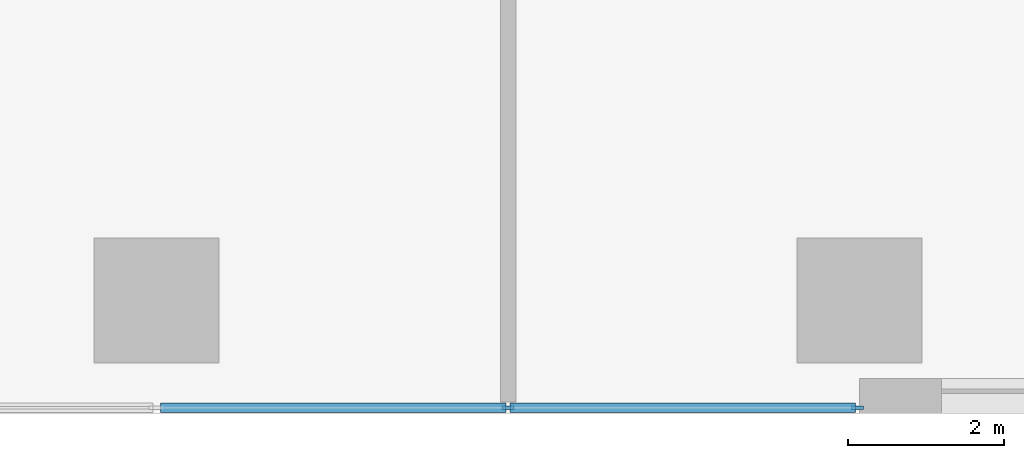
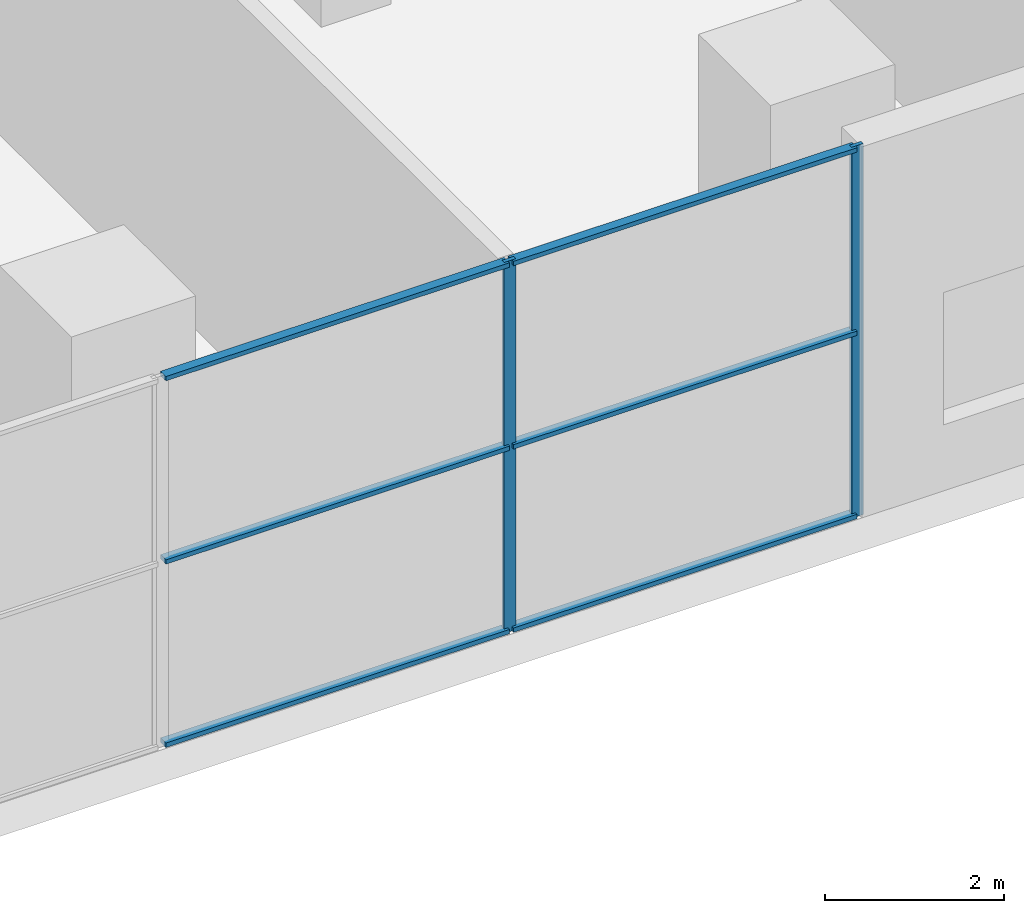
# One storey, part 6 of 21: 8 members, 1 element without a shape of its own.
"""IFC4 building model written with IfcOpenShell, lengths in metres."""

from ifc_helpers import new_model, si_unit, direction, frame, origin, origin_2d, place, context, subcontext, project, spatial, rectangle, extrude, material, material_profile, profile_set, type_object, element, aggregate, save


model = new_model("IFC4")

# Units and contexts
model_context = context("Model", 3, precision=1e-05, world=origin(), true_north=direction((0.0, 1.0)))
body_context = subcontext(model_context, "Body", "Model", "MODEL_VIEW")
ifc_project = project(units=[si_unit("LENGTHUNIT", "METRE"), si_unit("AREAUNIT", "SQUARE_METRE"), si_unit("VOLUMEUNIT", "CUBIC_METRE"), si_unit("PLANEANGLEUNIT", "RADIAN"), si_unit("MASSUNIT", "GRAM", prefix="KILO")], contexts=[model_context])

# Site, building, storey
site_placement = place(None, origin())
site = spatial("IfcSite", under=ifc_project, at=site_placement, CompositionType="ELEMENT")
building_placement = place(site_placement, origin())
building = spatial("IfcBuilding", under=site, at=building_placement, Name="Kajstack Hotel Tower", CompositionType="ELEMENT")
storey_placement = place(building_placement, frame((0.0, 0.0, 23.5)))
storey = spatial("IfcBuildingStorey", under=building, at=storey_placement, Name="L03", CompositionType="ELEMENT", Elevation=23.5)

# Curtain wall, members
ifc_material_1 = material(Name="Aluminium-framed curtain wall, fritted glass", Category="aluminium")
curtain_wall_type = type_object("IfcCurtainWallType", Name="CW-MEET", PredefinedType="NOTDEFINED", material=ifc_material_1)
curtain_wall_placement = place(storey_placement, origin())
curtain_wall = element("IfcCurtainWall", 1, at=curtain_wall_placement, inside=storey, type_object=curtain_wall_type, Name="Curtain wall CU3 L03-03-02-3", PredefinedType="NOTDEFINED")
ifc_material_2 = material(Name="Aluminium", Category="aluminium")
ifc_material_profile_1 = material_profile(ifc_material_2, rectangle(XDim=0.050048828125, YDim=0.14990234375, at=origin_2d()), Name="Aluminium mullion 50 x 150")
ifc_profile_set_1 = profile_set([ifc_material_profile_1], Name="Aluminium")
member_type_1 = type_object("IfcMemberType", Name="CW-M-MEET", PredefinedType="MULLION", material=ifc_profile_set_1)
member_1_placement = place(storey_placement, frame((22.5, -21.925048828125, 0.0), z_axis=(0.0, 0.0, 1.0), x_axis=(0.0, 1.0, 0.0)))
member_1 = element("IfcMember", 2, at=member_1_placement, type_object=member_type_1, Name="CU3 mullion 2", PredefinedType="MULLION", context=body_context, shape_type="SweptSolid", body=[
    extrude(rectangle(XDim=0.050048828125, YDim=0.14990234375, at=origin_2d()), origin(), (0.0, 0.0, 1.0), 5.050048828125),
])
member_2_placement = place(storey_placement, frame((26.97509765625, -21.925048828125, 0.0), z_axis=(0.0, 0.0, 1.0), x_axis=(0.0, 1.0, 0.0)))
member_2 = element("IfcMember", 3, at=member_2_placement, type_object=member_type_1, Name="CU3 mullion 3", PredefinedType="MULLION", context=body_context, shape_type="SweptSolid", body=[
    extrude(rectangle(XDim=0.050048828125, YDim=0.14990234375, at=origin_2d()), origin(), (0.0, 0.0, 1.0), 5.050048828125),
])
ifc_material_profile_2 = material_profile(ifc_material_2, rectangle(XDim=0.1201171875, YDim=0.06005859375, at=origin_2d()), Name="Aluminium transom 120 x 60")
ifc_profile_set_2 = profile_set([ifc_material_profile_2], Name="Aluminium")
member_type_2 = type_object("IfcMemberType", Name="CW-T-MEET", PredefinedType="USERDEFINED", material=ifc_profile_set_2)
member_3_placement = place(storey_placement, frame((18.050048828125, -21.925048828125, 0.030029296875), z_axis=(1.0, 0.0, 0.0), x_axis=(0.0, 1.0, 0.0)))
member_3 = element("IfcMember", 4, at=member_3_placement, type_object=member_type_2, Name="CU3 transom 1.1", ObjectType="TRANSOM", PredefinedType="USERDEFINED", context=body_context, shape_type="SweptSolid", body=[
    extrude(rectangle(XDim=0.1201171875, YDim=0.06005859375, at=origin_2d()), origin(), (0.0, 0.0, 1.0), 4.425048828125),
])
member_4_placement = place(storey_placement, frame((18.050048828125, -21.925048828125, 2.52490234375), z_axis=(1.0, 0.0, 0.0), x_axis=(0.0, 1.0, 0.0)))
member_4 = element("IfcMember", 5, at=member_4_placement, type_object=member_type_2, Name="CU3 transom 1.2", ObjectType="TRANSOM", PredefinedType="USERDEFINED", context=body_context, shape_type="SweptSolid", body=[
    extrude(rectangle(XDim=0.1201171875, YDim=0.06005859375, at=origin_2d()), origin(), (0.0, 0.0, 1.0), 4.425048828125),
])
member_5_placement = place(storey_placement, frame((18.050048828125, -21.925048828125, 5.02001953125), z_axis=(1.0, 0.0, 0.0), x_axis=(0.0, 1.0, 0.0)))
member_5 = element("IfcMember", 6, at=member_5_placement, type_object=member_type_2, Name="CU3 transom 1.3", ObjectType="TRANSOM", PredefinedType="USERDEFINED", context=body_context, shape_type="SweptSolid", body=[
    extrude(rectangle(XDim=0.1201171875, YDim=0.06005859375, at=origin_2d()), origin(), (0.0, 0.0, 1.0), 4.425048828125),
])
member_6_placement = place(storey_placement, frame((22.52490234375, -21.925048828125, 0.030029296875), z_axis=(1.0, 0.0, 0.0), x_axis=(0.0, 1.0, 0.0)))
member_6 = element("IfcMember", 7, at=member_6_placement, type_object=member_type_2, Name="CU3 transom 2.1", ObjectType="TRANSOM", PredefinedType="USERDEFINED", context=body_context, shape_type="SweptSolid", body=[
    extrude(rectangle(XDim=0.1201171875, YDim=0.06005859375, at=origin_2d()), origin(), (0.0, 0.0, 1.0), 4.425048828125),
])
member_7_placement = place(storey_placement, frame((22.52490234375, -21.925048828125, 2.52490234375), z_axis=(1.0, 0.0, 0.0), x_axis=(0.0, 1.0, 0.0)))
member_7 = element("IfcMember", 8, at=member_7_placement, type_object=member_type_2, Name="CU3 transom 2.2", ObjectType="TRANSOM", PredefinedType="USERDEFINED", context=body_context, shape_type="SweptSolid", body=[
    extrude(rectangle(XDim=0.1201171875, YDim=0.06005859375, at=origin_2d()), origin(), (0.0, 0.0, 1.0), 4.425048828125),
])
member_8_placement = place(storey_placement, frame((22.52490234375, -21.925048828125, 5.02001953125), z_axis=(1.0, 0.0, 0.0), x_axis=(0.0, 1.0, 0.0)))
member_8 = element("IfcMember", 9, at=member_8_placement, type_object=member_type_2, Name="CU3 transom 2.3", ObjectType="TRANSOM", PredefinedType="USERDEFINED", context=body_context, shape_type="SweptSolid", body=[
    extrude(rectangle(XDim=0.1201171875, YDim=0.06005859375, at=origin_2d()), origin(), (0.0, 0.0, 1.0), 4.425048828125),
])
aggregate(curtain_wall, [member_1, member_2, member_3, member_4, member_5, member_6, member_7, member_8])

save(model, "model.ifc")
